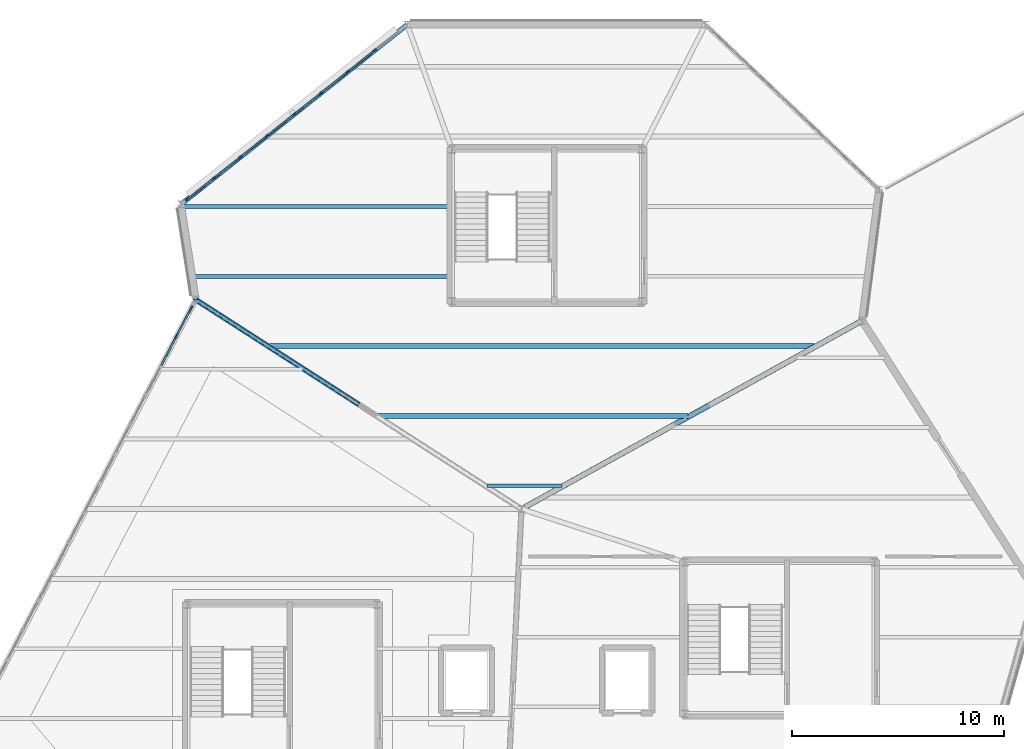
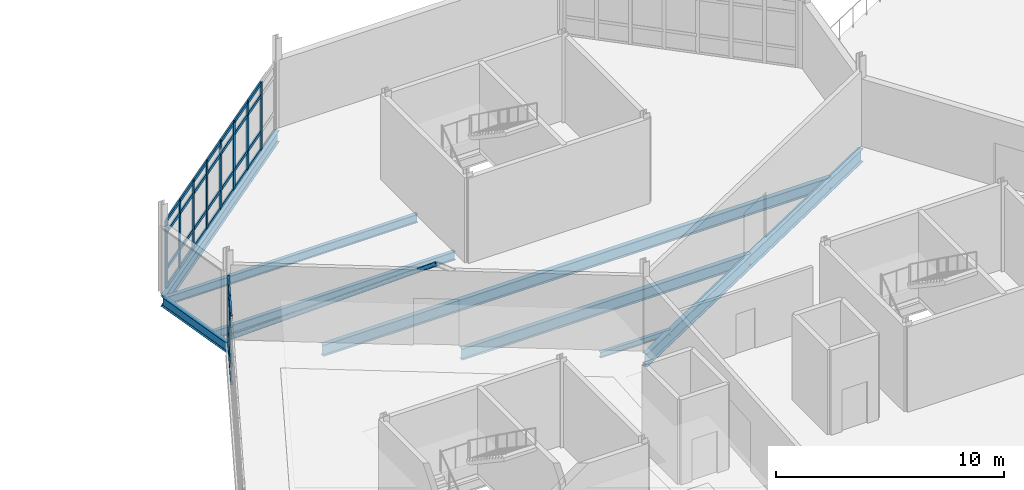
# One storey, part 38 of 76: 47 members, 8 beams, 2 elements without a shape of their own.
"""IFC4 building model written with IfcOpenShell, lengths in metres."""

from ifc_helpers import new_model, si_unit, direction, frame, origin, origin_2d, place, context, subcontext, project, spatial, rectangle, hollow_circle, i_section, extrude, material, material_profile, profile_set, type_object, element, aggregate, save


model = new_model("IFC4")

# Units and contexts
model_context = context("Model", 3, precision=1e-05, world=origin(), true_north=direction((0.0, 1.0)))
body_context = subcontext(model_context, "Body", "Model", "MODEL_VIEW")
ifc_project = project(units=[si_unit("LENGTHUNIT", "METRE"), si_unit("AREAUNIT", "SQUARE_METRE"), si_unit("VOLUMEUNIT", "CUBIC_METRE"), si_unit("PLANEANGLEUNIT", "RADIAN"), si_unit("MASSUNIT", "GRAM", prefix="KILO")], contexts=[model_context])

# Site, building, storey
site_placement = place(None, origin())
site = spatial("IfcSite", under=ifc_project, at=site_placement, CompositionType="ELEMENT")
building_placement = place(site_placement, origin())
building = spatial("IfcBuilding", under=site, at=building_placement, Name="Tameran Prism Museum", CompositionType="ELEMENT")
storey_placement = place(building_placement, frame((0.0, 0.0, 15.0)))
storey = spatial("IfcBuildingStorey", under=building, at=storey_placement, Name="L03", CompositionType="ELEMENT", Elevation=15.0)

# Beams
ifc_material_1 = material(Name="Steel Grade 300PLUS (300 MPa)", Category="steel")
ifc_material_profile_1 = material_profile(ifc_material_1, i_section(OverallWidth=0.1650390625, OverallDepth=0.303955078125, WebThickness=0.006103515625, FlangeThickness=0.01025390625, FilletRadius=0.011474609375, at=origin_2d()))
ifc_profile_set_1 = profile_set([ifc_material_profile_1])
beam_type_1 = type_object("IfcBeamType", Name="BM-J310B", PredefinedType="JOIST", material=ifc_profile_set_1)
beam_1_placement = place(storey_placement, frame((117.1630859375, 90.199951171875, -0.35205078125), z_axis=(1.0, 0.0, 0.0), x_axis=(0.0, 1.0, 0.0)))
element("IfcBeam", 1, at=beam_1_placement, inside=storey, type_object=beam_type_1, Name="Floor Beam BM-1073", PredefinedType="JOIST", context=body_context, shape_type="SweptSolid", body=[
    extrude(i_section(OverallWidth=0.1650390625, OverallDepth=0.303955078125, WebThickness=0.006103515625, FlangeThickness=0.01025390625, FilletRadius=0.011474609375, at=origin_2d()), origin(), (0.0, 0.0, 1.0), 3.5439453125),
])
ifc_material_2 = material(Name="Steel Grade 300PLUS (300 MPa)", Category="steel")
ifc_material_profile_2 = material_profile(ifc_material_2, i_section(OverallWidth=0.18994140625, OverallDepth=0.4541015625, WebThickness=0.008544921875, FlangeThickness=0.0126953125, FilletRadius=0.011474609375, at=origin_2d()))
ifc_profile_set_2 = profile_set([ifc_material_profile_2])
beam_type_2 = type_object("IfcBeamType", Name="BM-J460B", PredefinedType="JOIST", material=ifc_profile_set_2)
beam_2_placement = place(storey_placement, frame((103.26904296875, 100.10009765625, -0.427001953125), z_axis=(1.0, 0.0, 0.0), x_axis=(0.0, 1.0, 0.0)))
element("IfcBeam", 2, at=beam_2_placement, inside=storey, type_object=beam_type_2, Name="Floor Beam BM-1076", PredefinedType="JOIST", context=body_context, shape_type="SweptSolid", body=[
    extrude(i_section(OverallWidth=0.18994140625, OverallDepth=0.4541015625, WebThickness=0.008544921875, FlangeThickness=0.0126953125, FilletRadius=0.011474609375, at=origin_2d()), origin(), (0.0, 0.0, 1.0), 12.2509765625),
])
beam_3_placement = place(storey_placement, frame((102.756103515625, 103.39990234375, -0.427001953125), z_axis=(1.0, 0.0, 0.0), x_axis=(0.0, 1.0, 0.0)))
element("IfcBeam", 3, at=beam_3_placement, inside=storey, type_object=beam_type_2, Name="Floor Beam BM-1078", PredefinedType="JOIST", context=body_context, shape_type="SweptSolid", body=[
    extrude(i_section(OverallWidth=0.18994140625, OverallDepth=0.4541015625, WebThickness=0.008544921875, FlangeThickness=0.0126953125, FilletRadius=0.011474609375, at=origin_2d()), origin(), (0.0, 0.0, 1.0), 12.763916015625),
])
ifc_material_3 = material(Name="Steel Grade 300PLUS (300 MPa)", Category="steel")
ifc_material_profile_3 = material_profile(ifc_material_3, i_section(OverallWidth=0.208984375, OverallDepth=0.528076171875, WebThickness=0.009521484375, FlangeThickness=0.01318359375, FilletRadius=0.013916015625, at=origin_2d()))
ifc_profile_set_3 = profile_set([ifc_material_profile_3])
beam_type_3 = type_object("IfcBeamType", Name="BM-SP530B", PredefinedType="SPANDREL", material=ifc_profile_set_3)
beam_4_placement = place(storey_placement, frame((102.699951171875, 103.5, -0.464111328125), z_axis=(0.153696537817, -0.988118097326, 0.0), x_axis=(0.988118097326, 0.153696537817, 0.0)))
element("IfcBeam", 4, at=beam_4_placement, inside=storey, type_object=beam_type_3, Name="Perimeter Spandrel SP-0954", PredefinedType="SPANDREL", context=body_context, shape_type="SweptSolid", body=[
    extrude(i_section(OverallWidth=0.208984375, OverallDepth=0.528076171875, WebThickness=0.009521484375, FlangeThickness=0.01318359375, FilletRadius=0.013916015625, at=origin_2d()), origin(), (0.0, 0.0, 1.0), 4.55419921875),
])
ifc_material_4 = material(Name="Steel Grade 300PLUS (300 MPa)", Category="steel")
ifc_material_profile_4 = material_profile(ifc_material_4, i_section(OverallWidth=0.22802734375, OverallDepth=0.60205078125, WebThickness=0.010498046875, FlangeThickness=0.014892578125, FilletRadius=0.013916015625, at=origin_2d()))
ifc_profile_set_4 = profile_set([ifc_material_profile_4])
beam_type_4 = type_object("IfcBeamType", Name="BM-SP610", PredefinedType="SPANDREL", material=ifc_profile_set_4)
beam_5_placement = place(storey_placement, frame((113.39990234375, 112.0, -0.5009765625), z_axis=(-0.783004636427, -0.62201586743, 0.0), x_axis=(0.62201586743, -0.783004636427, 0.0)))
element("IfcBeam", 5, at=beam_5_placement, inside=storey, type_object=beam_type_4, Name="Perimeter Spandrel SP-0953", PredefinedType="SPANDREL", context=body_context, shape_type="SweptSolid", body=[
    extrude(i_section(OverallWidth=0.22802734375, OverallDepth=0.60205078125, WebThickness=0.010498046875, FlangeThickness=0.014892578125, FilletRadius=0.013916015625, at=origin_2d()), origin(), (0.0, 0.0, 1.0), 13.665283203125),
])
ifc_material_5 = material(Name="Steel Grade 350 (350 MPa)", Category="steel")
ifc_material_profile_5 = material_profile(ifc_material_5, i_section(OverallWidth=0.25, OverallDepth=0.699951171875, WebThickness=0.010009765625, FlangeThickness=0.02001953125, at=origin_2d()))
ifc_profile_set_5 = profile_set([ifc_material_profile_5])
beam_type_5 = type_object("IfcBeamType", Name="BM-SP700", PredefinedType="SPANDREL", material=ifc_profile_set_5)
beam_6_placement = place(storey_placement, frame((134.89990234375, 98.0, -0.550048828125), z_axis=(-0.875181353329, -0.483794996652, 0.0), x_axis=(0.483794996652, -0.875181353329, 0.0)))
element("IfcBeam", 6, at=beam_6_placement, inside=storey, type_object=beam_type_5, Name="Perimeter Spandrel SP-0949", PredefinedType="SPANDREL", context=body_context, shape_type="SweptSolid", body=[
    extrude(i_section(OverallWidth=0.25, OverallDepth=0.699951171875, WebThickness=0.010009765625, FlangeThickness=0.02001953125, at=origin_2d()), origin(), (0.0, 0.0, 1.0), 18.39599609375),
])
ifc_material_6 = material(Name="Steel Grade 300PLUS (300 MPa)", Category="steel")
ifc_material_profile_6 = material_profile(ifc_material_6, i_section(OverallWidth=0.22802734375, OverallDepth=0.60693359375, WebThickness=0.01123046875, FlangeThickness=0.017333984375, FilletRadius=0.013916015625, at=origin_2d()))
ifc_profile_set_6 = profile_set([ifc_material_profile_6])
beam_type_6 = type_object("IfcBeamType", Name="BM-UB610B", PredefinedType="BEAM", material=ifc_profile_set_6)
beam_7_placement = place(storey_placement, frame((112.030029296875, 93.5, -0.50341796875), z_axis=(1.0, 0.0, 0.0), x_axis=(0.0, 1.0, 0.0)))
element("IfcBeam", 7, at=beam_7_placement, inside=storey, type_object=beam_type_6, Name="Floor Beam BM-1074", PredefinedType="BEAM", context=body_context, shape_type="SweptSolid", body=[
    extrude(i_section(OverallWidth=0.22802734375, OverallDepth=0.60693359375, WebThickness=0.01123046875, FlangeThickness=0.017333984375, FilletRadius=0.013916015625, at=origin_2d()), origin(), (0.0, 0.0, 1.0), 14.64697265625),
])
beam_8_placement = place(storey_placement, frame((106.89599609375, 96.800048828125, -0.50341796875), z_axis=(1.0, 0.0, 0.0), x_axis=(0.0, 1.0, 0.0)))
element("IfcBeam", 8, at=beam_8_placement, inside=storey, type_object=beam_type_6, Name="Floor Beam BM-1075", PredefinedType="BEAM", context=body_context, shape_type="SweptSolid", body=[
    extrude(i_section(OverallWidth=0.22802734375, OverallDepth=0.60693359375, WebThickness=0.01123046875, FlangeThickness=0.017333984375, FilletRadius=0.013916015625, at=origin_2d()), origin(), (0.0, 0.0, 1.0), 25.7509765625),
])

# Curtain wall, members
ifc_material_7 = material(Name="Anodised Aluminium 6063-T6 and Cyclone Solar Glass", Category="aluminium")
curtain_wall_type_1 = type_object("IfcCurtainWallType", Name="CW-FAC-1296x362", PredefinedType="USERDEFINED", material=ifc_material_7)
curtain_wall_1_placement = place(storey_placement, origin())
curtain_wall_1 = element("IfcCurtainWall", 9, at=curtain_wall_1_placement, inside=storey, type_object=curtain_wall_type_1, Name="Unitised Curtain Wall CW-133", ObjectType="UNITISED CURTAIN WALL", PredefinedType="USERDEFINED")
ifc_material_8 = material(Name="Anodised Aluminium Alloy 6063-T6", Category="aluminium")
ifc_material_profile_7 = material_profile(ifc_material_8, rectangle(XDim=0.074951171875, YDim=0.199951171875, at=origin_2d()))
ifc_profile_set_7 = profile_set([ifc_material_profile_7])
member_type_1 = type_object("IfcMemberType", Name="CW-MUL-C", PredefinedType="MULLION", material=ifc_profile_set_7)
member_1_placement = place(storey_placement, frame((103.00341796875, 103.7412109375, 0.0), z_axis=(0.0, 0.0, 1.0), x_axis=(-0.621982306183, 0.783031296178, 0.0)))
member_1 = element("IfcMember", 10, at=member_1_placement, type_object=member_type_1, Name="CW-133 mullion 1", PredefinedType="MULLION", context=body_context, shape_type="SweptSolid", body=[
    extrude(rectangle(XDim=0.074951171875, YDim=0.199951171875, at=origin_2d()), origin(), (0.0, 0.0, 1.0), 3.6201171875),
])
member_2_placement = place(storey_placement, frame((104.242919921875, 104.72607421875, 0.0), z_axis=(0.0, 0.0, 1.0), x_axis=(-0.621982306183, 0.783031296178, 0.0)))
member_2 = element("IfcMember", 11, at=member_2_placement, type_object=member_type_1, Name="CW-133 mullion 2", PredefinedType="MULLION", context=body_context, shape_type="SweptSolid", body=[
    extrude(rectangle(XDim=0.074951171875, YDim=0.199951171875, at=origin_2d()), origin(), (0.0, 0.0, 1.0), 3.6201171875),
])
member_3_placement = place(storey_placement, frame((105.511962890625, 105.73388671875, 0.0), z_axis=(0.0, 0.0, 1.0), x_axis=(-0.621982306183, 0.783031296178, 0.0)))
member_3 = element("IfcMember", 12, at=member_3_placement, type_object=member_type_1, Name="CW-133 mullion 3", PredefinedType="MULLION", context=body_context, shape_type="SweptSolid", body=[
    extrude(rectangle(XDim=0.074951171875, YDim=0.199951171875, at=origin_2d()), origin(), (0.0, 0.0, 1.0), 3.6201171875),
])
member_4_placement = place(storey_placement, frame((106.781005859375, 106.741943359375, 0.0), z_axis=(0.0, 0.0, 1.0), x_axis=(-0.621982306183, 0.783031296178, 0.0)))
member_4 = element("IfcMember", 13, at=member_4_placement, type_object=member_type_1, Name="CW-133 mullion 4", PredefinedType="MULLION", context=body_context, shape_type="SweptSolid", body=[
    extrude(rectangle(XDim=0.074951171875, YDim=0.199951171875, at=origin_2d()), origin(), (0.0, 0.0, 1.0), 3.6201171875),
])
member_5_placement = place(storey_placement, frame((108.050048828125, 107.75, 0.0), z_axis=(0.0, 0.0, 1.0), x_axis=(-0.621982306183, 0.783031296178, 0.0)))
member_5 = element("IfcMember", 14, at=member_5_placement, type_object=member_type_1, Name="CW-133 mullion 5", PredefinedType="MULLION", context=body_context, shape_type="SweptSolid", body=[
    extrude(rectangle(XDim=0.074951171875, YDim=0.199951171875, at=origin_2d()), origin(), (0.0, 0.0, 1.0), 3.6201171875),
])
member_6_placement = place(storey_placement, frame((109.319091796875, 108.758056640625, 0.0), z_axis=(0.0, 0.0, 1.0), x_axis=(-0.621982306183, 0.783031296178, 0.0)))
member_6 = element("IfcMember", 15, at=member_6_placement, type_object=member_type_1, Name="CW-133 mullion 6", PredefinedType="MULLION", context=body_context, shape_type="SweptSolid", body=[
    extrude(rectangle(XDim=0.074951171875, YDim=0.199951171875, at=origin_2d()), origin(), (0.0, 0.0, 1.0), 3.6201171875),
])
member_7_placement = place(storey_placement, frame((110.587890625, 109.76611328125, 0.0), z_axis=(0.0, 0.0, 1.0), x_axis=(-0.621982306183, 0.783031296178, 0.0)))
member_7 = element("IfcMember", 16, at=member_7_placement, type_object=member_type_1, Name="CW-133 mullion 7", PredefinedType="MULLION", context=body_context, shape_type="SweptSolid", body=[
    extrude(rectangle(XDim=0.074951171875, YDim=0.199951171875, at=origin_2d()), origin(), (0.0, 0.0, 1.0), 3.6201171875),
])
member_8_placement = place(storey_placement, frame((111.85693359375, 110.77392578125, 0.0), z_axis=(0.0, 0.0, 1.0), x_axis=(-0.621982306183, 0.783031296178, 0.0)))
member_8 = element("IfcMember", 17, at=member_8_placement, type_object=member_type_1, Name="CW-133 mullion 8", PredefinedType="MULLION", context=body_context, shape_type="SweptSolid", body=[
    extrude(rectangle(XDim=0.074951171875, YDim=0.199951171875, at=origin_2d()), origin(), (0.0, 0.0, 1.0), 3.6201171875),
])

ifc_material_9 = material(Name="Anodised Aluminium 6063-T6 and Cyclone Solar Glass", Category="aluminium")
curtain_wall_type_2 = type_object("IfcCurtainWallType", Name="CW-FAC-2192x362", PredefinedType="USERDEFINED", material=ifc_material_9)
curtain_wall_2_placement = place(storey_placement, origin())
curtain_wall_2 = element("IfcCurtainWall", 18, at=curtain_wall_2_placement, inside=storey, type_object=curtain_wall_type_2, Name="Unitised Curtain Wall CW-130", ObjectType="UNITISED CURTAIN WALL", PredefinedType="USERDEFINED")
ifc_material_10 = material(Name="Anodised Aluminium Alloy 6063-T6", Category="aluminium")
ifc_material_profile_8 = material_profile(ifc_material_10, rectangle(XDim=0.080078125, YDim=0.219970703125, at=origin_2d()))
ifc_profile_set_8 = profile_set([ifc_material_profile_8])
member_type_2 = type_object("IfcMemberType", Name="CW-MUL-D", PredefinedType="MULLION", material=ifc_profile_set_8)
member_9_placement = place(storey_placement, frame((102.485107421875, 97.249267578125, 0.0), z_axis=(0.0, 0.0, 1.0), x_axis=(-0.886356952612, 0.463002540551, 0.0)))
member_9 = element("IfcMember", 19, at=member_9_placement, type_object=member_type_2, Name="CW-130 mullion 14", PredefinedType="MULLION", context=body_context, shape_type="SweptSolid", body=[
    extrude(rectangle(XDim=0.080078125, YDim=0.219970703125, at=origin_2d()), origin(), (0.0, 0.0, 1.0), 3.6201171875),
])
member_10_placement = place(storey_placement, frame((103.19140625, 98.6015625, 0.0), z_axis=(0.0, 0.0, 1.0), x_axis=(-0.886356952612, 0.463002540551, 0.0)))
member_10 = element("IfcMember", 20, at=member_10_placement, type_object=member_type_2, Name="CW-130 mullion 15", PredefinedType="MULLION", context=body_context, shape_type="SweptSolid", body=[
    extrude(rectangle(XDim=0.080078125, YDim=0.219970703125, at=origin_2d()), origin(), (0.0, 0.0, 1.0), 3.6201171875),
])

# Member
ifc_material_11 = material(Name="Anodised Aluminium Alloy 6063-T6", Category="aluminium")
ifc_material_profile_9 = material_profile(ifc_material_11, rectangle(XDim=0.074951171875, YDim=0.175048828125, at=origin_2d()))
ifc_profile_set_9 = profile_set([ifc_material_profile_9])
member_type_3 = type_object("IfcMemberType", Name="CW-TRN-C", PredefinedType="USERDEFINED", material=ifc_profile_set_9)
member_11_placement = place(storey_placement, frame((103.03271484375, 103.7646484375, 0.03759765625), z_axis=(0.783043597879, 0.621966818907, 0.0), x_axis=(-0.621966818907, 0.783043597879, 0.0)))
member_11 = element("IfcMember", 21, at=member_11_placement, type_object=member_type_3, Name="CW-133 transom 1.1", ObjectType="TRANSOM", PredefinedType="USERDEFINED", context=body_context, shape_type="SweptSolid", body=[
    extrude(rectangle(XDim=0.074951171875, YDim=0.175048828125, at=origin_2d()), origin(), (0.0, 0.0, 1.0), 1.508056640625),
])

member_12_placement = place(storey_placement, frame((103.03271484375, 103.7646484375, 1.0), z_axis=(0.783043597879, 0.621966818907, 0.0), x_axis=(-0.621966818907, 0.783043597879, 0.0)))
member_12 = element("IfcMember", 22, at=member_12_placement, type_object=member_type_3, Name="CW-133 transom 1.2", ObjectType="TRANSOM", PredefinedType="USERDEFINED", context=body_context, shape_type="SweptSolid", body=[
    extrude(rectangle(XDim=0.074951171875, YDim=0.175048828125, at=origin_2d()), origin(), (0.0, 0.0, 1.0), 1.508056640625),
])

member_13_placement = place(storey_placement, frame((103.03271484375, 103.7646484375, 2.93994140625), z_axis=(0.783043597879, 0.621966818907, 0.0), x_axis=(-0.621966818907, 0.783043597879, 0.0)))
member_13 = element("IfcMember", 23, at=member_13_placement, type_object=member_type_3, Name="CW-133 transom 1.3", ObjectType="TRANSOM", PredefinedType="USERDEFINED", context=body_context, shape_type="SweptSolid", body=[
    extrude(rectangle(XDim=0.074951171875, YDim=0.175048828125, at=origin_2d()), origin(), (0.0, 0.0, 1.0), 1.508056640625),
])

member_14_placement = place(storey_placement, frame((103.03271484375, 103.7646484375, 3.58251953125), z_axis=(0.783043597879, 0.621966818907, 0.0), x_axis=(-0.621966818907, 0.783043597879, 0.0)))
member_14 = element("IfcMember", 24, at=member_14_placement, type_object=member_type_3, Name="CW-133 transom 1.4", ObjectType="TRANSOM", PredefinedType="USERDEFINED", context=body_context, shape_type="SweptSolid", body=[
    extrude(rectangle(XDim=0.074951171875, YDim=0.175048828125, at=origin_2d()), origin(), (0.0, 0.0, 1.0), 1.508056640625),
])

member_15_placement = place(storey_placement, frame((104.2724609375, 104.749267578125, 0.03759765625), z_axis=(0.78299091999, 0.622033133533, 0.0), x_axis=(-0.622033133533, 0.78299091999, 0.0)))
member_15 = element("IfcMember", 25, at=member_15_placement, type_object=member_type_3, Name="CW-133 transom 2.1", ObjectType="TRANSOM", PredefinedType="USERDEFINED", context=body_context, shape_type="SweptSolid", body=[
    extrude(rectangle(XDim=0.074951171875, YDim=0.175048828125, at=origin_2d()), origin(), (0.0, 0.0, 1.0), 1.545654296875),
])

member_16_placement = place(storey_placement, frame((104.2724609375, 104.749267578125, 1.0), z_axis=(0.78299091999, 0.622033133533, 0.0), x_axis=(-0.622033133533, 0.78299091999, 0.0)))
member_16 = element("IfcMember", 26, at=member_16_placement, type_object=member_type_3, Name="CW-133 transom 2.2", ObjectType="TRANSOM", PredefinedType="USERDEFINED", context=body_context, shape_type="SweptSolid", body=[
    extrude(rectangle(XDim=0.074951171875, YDim=0.175048828125, at=origin_2d()), origin(), (0.0, 0.0, 1.0), 1.545654296875),
])

member_17_placement = place(storey_placement, frame((104.2724609375, 104.749267578125, 2.93994140625), z_axis=(0.78299091999, 0.622033133533, 0.0), x_axis=(-0.622033133533, 0.78299091999, 0.0)))
member_17 = element("IfcMember", 27, at=member_17_placement, type_object=member_type_3, Name="CW-133 transom 2.3", ObjectType="TRANSOM", PredefinedType="USERDEFINED", context=body_context, shape_type="SweptSolid", body=[
    extrude(rectangle(XDim=0.074951171875, YDim=0.175048828125, at=origin_2d()), origin(), (0.0, 0.0, 1.0), 1.545654296875),
])

member_18_placement = place(storey_placement, frame((104.2724609375, 104.749267578125, 3.58251953125), z_axis=(0.78299091999, 0.622033133533, 0.0), x_axis=(-0.622033133533, 0.78299091999, 0.0)))
member_18 = element("IfcMember", 28, at=member_18_placement, type_object=member_type_3, Name="CW-133 transom 2.4", ObjectType="TRANSOM", PredefinedType="USERDEFINED", context=body_context, shape_type="SweptSolid", body=[
    extrude(rectangle(XDim=0.074951171875, YDim=0.175048828125, at=origin_2d()), origin(), (0.0, 0.0, 1.0), 1.545654296875),
])

member_19_placement = place(storey_placement, frame((105.541259765625, 105.75732421875, 0.03759765625), z_axis=(0.78305202605, 0.621956207863, 0.0), x_axis=(-0.621956207863, 0.78305202605, 0.0)))
member_19 = element("IfcMember", 29, at=member_19_placement, type_object=member_type_3, Name="CW-133 transom 3.1", ObjectType="TRANSOM", PredefinedType="USERDEFINED", context=body_context, shape_type="SweptSolid", body=[
    extrude(rectangle(XDim=0.074951171875, YDim=0.175048828125, at=origin_2d()), origin(), (0.0, 0.0, 1.0), 1.5458984375),
])

member_20_placement = place(storey_placement, frame((105.541259765625, 105.75732421875, 1.0), z_axis=(0.78305202605, 0.621956207863, 0.0), x_axis=(-0.621956207863, 0.78305202605, 0.0)))
member_20 = element("IfcMember", 30, at=member_20_placement, type_object=member_type_3, Name="CW-133 transom 3.2", ObjectType="TRANSOM", PredefinedType="USERDEFINED", context=body_context, shape_type="SweptSolid", body=[
    extrude(rectangle(XDim=0.074951171875, YDim=0.175048828125, at=origin_2d()), origin(), (0.0, 0.0, 1.0), 1.5458984375),
])

member_21_placement = place(storey_placement, frame((105.541259765625, 105.75732421875, 2.93994140625), z_axis=(0.78305202605, 0.621956207863, 0.0), x_axis=(-0.621956207863, 0.78305202605, 0.0)))
member_21 = element("IfcMember", 31, at=member_21_placement, type_object=member_type_3, Name="CW-133 transom 3.3", ObjectType="TRANSOM", PredefinedType="USERDEFINED", context=body_context, shape_type="SweptSolid", body=[
    extrude(rectangle(XDim=0.074951171875, YDim=0.175048828125, at=origin_2d()), origin(), (0.0, 0.0, 1.0), 1.5458984375),
])

member_22_placement = place(storey_placement, frame((105.541259765625, 105.75732421875, 3.58251953125), z_axis=(0.78305202605, 0.621956207863, 0.0), x_axis=(-0.621956207863, 0.78305202605, 0.0)))
member_22 = element("IfcMember", 32, at=member_22_placement, type_object=member_type_3, Name="CW-133 transom 3.4", ObjectType="TRANSOM", PredefinedType="USERDEFINED", context=body_context, shape_type="SweptSolid", body=[
    extrude(rectangle(XDim=0.074951171875, YDim=0.175048828125, at=origin_2d()), origin(), (0.0, 0.0, 1.0), 1.5458984375),
])

member_23_placement = place(storey_placement, frame((106.810302734375, 106.765380859375, 0.03759765625), z_axis=(0.783128946774, 0.62185935124, 0.0), x_axis=(-0.62185935124, 0.783128946774, 0.0)))
member_23 = element("IfcMember", 33, at=member_23_placement, type_object=member_type_3, Name="CW-133 transom 4.1", ObjectType="TRANSOM", PredefinedType="USERDEFINED", context=body_context, shape_type="SweptSolid", body=[
    extrude(rectangle(XDim=0.074951171875, YDim=0.175048828125, at=origin_2d()), origin(), (0.0, 0.0, 1.0), 1.545654296875),
])

member_24_placement = place(storey_placement, frame((106.810302734375, 106.765380859375, 1.0), z_axis=(0.783128946774, 0.62185935124, 0.0), x_axis=(-0.62185935124, 0.783128946774, 0.0)))
member_24 = element("IfcMember", 34, at=member_24_placement, type_object=member_type_3, Name="CW-133 transom 4.2", ObjectType="TRANSOM", PredefinedType="USERDEFINED", context=body_context, shape_type="SweptSolid", body=[
    extrude(rectangle(XDim=0.074951171875, YDim=0.175048828125, at=origin_2d()), origin(), (0.0, 0.0, 1.0), 1.545654296875),
])

member_25_placement = place(storey_placement, frame((106.810302734375, 106.765380859375, 2.93994140625), z_axis=(0.783128946774, 0.62185935124, 0.0), x_axis=(-0.62185935124, 0.783128946774, 0.0)))
member_25 = element("IfcMember", 35, at=member_25_placement, type_object=member_type_3, Name="CW-133 transom 4.3", ObjectType="TRANSOM", PredefinedType="USERDEFINED", context=body_context, shape_type="SweptSolid", body=[
    extrude(rectangle(XDim=0.074951171875, YDim=0.175048828125, at=origin_2d()), origin(), (0.0, 0.0, 1.0), 1.545654296875),
])

member_26_placement = place(storey_placement, frame((106.810302734375, 106.765380859375, 3.58251953125), z_axis=(0.783128946774, 0.62185935124, 0.0), x_axis=(-0.62185935124, 0.783128946774, 0.0)))
member_26 = element("IfcMember", 36, at=member_26_placement, type_object=member_type_3, Name="CW-133 transom 4.4", ObjectType="TRANSOM", PredefinedType="USERDEFINED", context=body_context, shape_type="SweptSolid", body=[
    extrude(rectangle(XDim=0.074951171875, YDim=0.175048828125, at=origin_2d()), origin(), (0.0, 0.0, 1.0), 1.545654296875),
])

member_27_placement = place(storey_placement, frame((108.079345703125, 107.7734375, 0.03759765625), z_axis=(0.783067853742, 0.621936280045, 0.0), x_axis=(-0.621936280045, 0.783067853742, 0.0)))
member_27 = element("IfcMember", 37, at=member_27_placement, type_object=member_type_3, Name="CW-133 transom 5.1", ObjectType="TRANSOM", PredefinedType="USERDEFINED", context=body_context, shape_type="SweptSolid", body=[
    extrude(rectangle(XDim=0.074951171875, YDim=0.175048828125, at=origin_2d()), origin(), (0.0, 0.0, 1.0), 1.54541015625),
])

member_28_placement = place(storey_placement, frame((108.079345703125, 107.7734375, 1.0), z_axis=(0.783067853742, 0.621936280045, 0.0), x_axis=(-0.621936280045, 0.783067853742, 0.0)))
member_28 = element("IfcMember", 38, at=member_28_placement, type_object=member_type_3, Name="CW-133 transom 5.2", ObjectType="TRANSOM", PredefinedType="USERDEFINED", context=body_context, shape_type="SweptSolid", body=[
    extrude(rectangle(XDim=0.074951171875, YDim=0.175048828125, at=origin_2d()), origin(), (0.0, 0.0, 1.0), 1.54541015625),
])

member_29_placement = place(storey_placement, frame((108.079345703125, 107.7734375, 2.93994140625), z_axis=(0.783067853742, 0.621936280045, 0.0), x_axis=(-0.621936280045, 0.783067853742, 0.0)))
member_29 = element("IfcMember", 39, at=member_29_placement, type_object=member_type_3, Name="CW-133 transom 5.3", ObjectType="TRANSOM", PredefinedType="USERDEFINED", context=body_context, shape_type="SweptSolid", body=[
    extrude(rectangle(XDim=0.074951171875, YDim=0.175048828125, at=origin_2d()), origin(), (0.0, 0.0, 1.0), 1.54541015625),
])

member_30_placement = place(storey_placement, frame((108.079345703125, 107.7734375, 3.58251953125), z_axis=(0.783067853742, 0.621936280045, 0.0), x_axis=(-0.621936280045, 0.783067853742, 0.0)))
member_30 = element("IfcMember", 40, at=member_30_placement, type_object=member_type_3, Name="CW-133 transom 5.4", ObjectType="TRANSOM", PredefinedType="USERDEFINED", context=body_context, shape_type="SweptSolid", body=[
    extrude(rectangle(XDim=0.074951171875, YDim=0.175048828125, at=origin_2d()), origin(), (0.0, 0.0, 1.0), 1.54541015625),
])

member_31_placement = place(storey_placement, frame((109.348388671875, 108.78125, 0.03759765625), z_axis=(0.78299091999, 0.622033133533, 0.0), x_axis=(-0.622033133533, 0.78299091999, 0.0)))
member_31 = element("IfcMember", 41, at=member_31_placement, type_object=member_type_3, Name="CW-133 transom 6.1", ObjectType="TRANSOM", PredefinedType="USERDEFINED", context=body_context, shape_type="SweptSolid", body=[
    extrude(rectangle(XDim=0.074951171875, YDim=0.175048828125, at=origin_2d()), origin(), (0.0, 0.0, 1.0), 1.545654296875),
])

member_32_placement = place(storey_placement, frame((109.348388671875, 108.78125, 1.0), z_axis=(0.78299091999, 0.622033133533, 0.0), x_axis=(-0.622033133533, 0.78299091999, 0.0)))
member_32 = element("IfcMember", 42, at=member_32_placement, type_object=member_type_3, Name="CW-133 transom 6.2", ObjectType="TRANSOM", PredefinedType="USERDEFINED", context=body_context, shape_type="SweptSolid", body=[
    extrude(rectangle(XDim=0.074951171875, YDim=0.175048828125, at=origin_2d()), origin(), (0.0, 0.0, 1.0), 1.545654296875),
])

member_33_placement = place(storey_placement, frame((109.348388671875, 108.78125, 2.93994140625), z_axis=(0.78299091999, 0.622033133533, 0.0), x_axis=(-0.622033133533, 0.78299091999, 0.0)))
member_33 = element("IfcMember", 43, at=member_33_placement, type_object=member_type_3, Name="CW-133 transom 6.3", ObjectType="TRANSOM", PredefinedType="USERDEFINED", context=body_context, shape_type="SweptSolid", body=[
    extrude(rectangle(XDim=0.074951171875, YDim=0.175048828125, at=origin_2d()), origin(), (0.0, 0.0, 1.0), 1.545654296875),
])

member_34_placement = place(storey_placement, frame((109.348388671875, 108.78125, 3.58251953125), z_axis=(0.78299091999, 0.622033133533, 0.0), x_axis=(-0.622033133533, 0.78299091999, 0.0)))
member_34 = element("IfcMember", 44, at=member_34_placement, type_object=member_type_3, Name="CW-133 transom 6.4", ObjectType="TRANSOM", PredefinedType="USERDEFINED", context=body_context, shape_type="SweptSolid", body=[
    extrude(rectangle(XDim=0.074951171875, YDim=0.175048828125, at=origin_2d()), origin(), (0.0, 0.0, 1.0), 1.545654296875),
])

member_35_placement = place(storey_placement, frame((110.617431640625, 109.789306640625, 0.03759765625), z_axis=(0.78299091999, 0.622033133533, 0.0), x_axis=(-0.622033133533, 0.78299091999, 0.0)))
member_35 = element("IfcMember", 45, at=member_35_placement, type_object=member_type_3, Name="CW-133 transom 7.1", ObjectType="TRANSOM", PredefinedType="USERDEFINED", context=body_context, shape_type="SweptSolid", body=[
    extrude(rectangle(XDim=0.074951171875, YDim=0.175048828125, at=origin_2d()), origin(), (0.0, 0.0, 1.0), 1.545654296875),
])

member_36_placement = place(storey_placement, frame((110.617431640625, 109.789306640625, 1.0), z_axis=(0.78299091999, 0.622033133533, 0.0), x_axis=(-0.622033133533, 0.78299091999, 0.0)))
member_36 = element("IfcMember", 46, at=member_36_placement, type_object=member_type_3, Name="CW-133 transom 7.2", ObjectType="TRANSOM", PredefinedType="USERDEFINED", context=body_context, shape_type="SweptSolid", body=[
    extrude(rectangle(XDim=0.074951171875, YDim=0.175048828125, at=origin_2d()), origin(), (0.0, 0.0, 1.0), 1.545654296875),
])

member_37_placement = place(storey_placement, frame((110.617431640625, 109.789306640625, 2.93994140625), z_axis=(0.78299091999, 0.622033133533, 0.0), x_axis=(-0.622033133533, 0.78299091999, 0.0)))
member_37 = element("IfcMember", 47, at=member_37_placement, type_object=member_type_3, Name="CW-133 transom 7.3", ObjectType="TRANSOM", PredefinedType="USERDEFINED", context=body_context, shape_type="SweptSolid", body=[
    extrude(rectangle(XDim=0.074951171875, YDim=0.175048828125, at=origin_2d()), origin(), (0.0, 0.0, 1.0), 1.545654296875),
])

member_38_placement = place(storey_placement, frame((110.617431640625, 109.789306640625, 3.58251953125), z_axis=(0.78299091999, 0.622033133533, 0.0), x_axis=(-0.622033133533, 0.78299091999, 0.0)))
member_38 = element("IfcMember", 48, at=member_38_placement, type_object=member_type_3, Name="CW-133 transom 7.4", ObjectType="TRANSOM", PredefinedType="USERDEFINED", context=body_context, shape_type="SweptSolid", body=[
    extrude(rectangle(XDim=0.074951171875, YDim=0.175048828125, at=origin_2d()), origin(), (0.0, 0.0, 1.0), 1.545654296875),
])

aggregate(curtain_wall_1, [member_1, member_2, member_3, member_4, member_5, member_6, member_7, member_8, member_11, member_12, member_13, member_14, member_15, member_16, member_17, member_18, member_19, member_20, member_21, member_22, member_23, member_24, member_25, member_26, member_27, member_28, member_29, member_30, member_31, member_32, member_33, member_34, member_35, member_36, member_37, member_38])

ifc_material_12 = material(Name="Anodised Aluminium Alloy 6063-T6", Category="aluminium")
ifc_material_profile_10 = material_profile(ifc_material_12, rectangle(XDim=0.080078125, YDim=0.195068359375, at=origin_2d()))
ifc_profile_set_10 = profile_set([ifc_material_profile_10])
member_type_4 = type_object("IfcMemberType", Name="CW-TRN-D", PredefinedType="USERDEFINED", material=ifc_profile_set_10)
member_39_placement = place(storey_placement, frame((101.77880859375, 95.897216796875, 0.0400390625), z_axis=(0.462987220267, 0.886364955236, 0.0), x_axis=(-0.886364955236, 0.462987220267, 0.0)))
member_39 = element("IfcMember", 49, at=member_39_placement, type_object=member_type_4, Name="CW-130 transom 13.1", ObjectType="TRANSOM", PredefinedType="USERDEFINED", context=body_context, shape_type="SweptSolid", body=[
    extrude(rectangle(XDim=0.080078125, YDim=0.195068359375, at=origin_2d()), origin(), (0.0, 0.0, 1.0), 1.4853515625),
])

member_40_placement = place(storey_placement, frame((101.77880859375, 95.897216796875, 1.0), z_axis=(0.462987220267, 0.886364955236, 0.0), x_axis=(-0.886364955236, 0.462987220267, 0.0)))
member_40 = element("IfcMember", 50, at=member_40_placement, type_object=member_type_4, Name="CW-130 transom 13.2", ObjectType="TRANSOM", PredefinedType="USERDEFINED", context=body_context, shape_type="SweptSolid", body=[
    extrude(rectangle(XDim=0.080078125, YDim=0.195068359375, at=origin_2d()), origin(), (0.0, 0.0, 1.0), 1.4853515625),
])

member_41_placement = place(storey_placement, frame((101.77880859375, 95.897216796875, 2.93994140625), z_axis=(0.462987220267, 0.886364955236, 0.0), x_axis=(-0.886364955236, 0.462987220267, 0.0)))
member_41 = element("IfcMember", 51, at=member_41_placement, type_object=member_type_4, Name="CW-130 transom 13.3", ObjectType="TRANSOM", PredefinedType="USERDEFINED", context=body_context, shape_type="SweptSolid", body=[
    extrude(rectangle(XDim=0.080078125, YDim=0.195068359375, at=origin_2d()), origin(), (0.0, 0.0, 1.0), 1.4853515625),
])

member_42_placement = place(storey_placement, frame((101.77880859375, 95.897216796875, 3.580078125), z_axis=(0.462987220267, 0.886364955236, 0.0), x_axis=(-0.886364955236, 0.462987220267, 0.0)))
member_42 = element("IfcMember", 52, at=member_42_placement, type_object=member_type_4, Name="CW-130 transom 13.4", ObjectType="TRANSOM", PredefinedType="USERDEFINED", context=body_context, shape_type="SweptSolid", body=[
    extrude(rectangle(XDim=0.080078125, YDim=0.195068359375, at=origin_2d()), origin(), (0.0, 0.0, 1.0), 1.4853515625),
])

member_43_placement = place(storey_placement, frame((102.503662109375, 97.284912109375, 0.0400390625), z_axis=(0.462952699184, 0.886382986253, 0.0), x_axis=(-0.886382986253, 0.462952699184, 0.0)))
member_43 = element("IfcMember", 53, at=member_43_placement, type_object=member_type_4, Name="CW-130 transom 14.1", ObjectType="TRANSOM", PredefinedType="USERDEFINED", context=body_context, shape_type="SweptSolid", body=[
    extrude(rectangle(XDim=0.080078125, YDim=0.195068359375, at=origin_2d()), origin(), (0.0, 0.0, 1.0), 1.445556640625),
])

member_44_placement = place(storey_placement, frame((102.503662109375, 97.284912109375, 1.0), z_axis=(0.462952699184, 0.886382986253, 0.0), x_axis=(-0.886382986253, 0.462952699184, 0.0)))
member_44 = element("IfcMember", 54, at=member_44_placement, type_object=member_type_4, Name="CW-130 transom 14.2", ObjectType="TRANSOM", PredefinedType="USERDEFINED", context=body_context, shape_type="SweptSolid", body=[
    extrude(rectangle(XDim=0.080078125, YDim=0.195068359375, at=origin_2d()), origin(), (0.0, 0.0, 1.0), 1.445556640625),
])

member_45_placement = place(storey_placement, frame((102.503662109375, 97.284912109375, 2.93994140625), z_axis=(0.462952699184, 0.886382986253, 0.0), x_axis=(-0.886382986253, 0.462952699184, 0.0)))
member_45 = element("IfcMember", 55, at=member_45_placement, type_object=member_type_4, Name="CW-130 transom 14.3", ObjectType="TRANSOM", PredefinedType="USERDEFINED", context=body_context, shape_type="SweptSolid", body=[
    extrude(rectangle(XDim=0.080078125, YDim=0.195068359375, at=origin_2d()), origin(), (0.0, 0.0, 1.0), 1.445556640625),
])

member_46_placement = place(storey_placement, frame((102.503662109375, 97.284912109375, 3.580078125), z_axis=(0.462952699184, 0.886382986253, 0.0), x_axis=(-0.886382986253, 0.462952699184, 0.0)))
member_46 = element("IfcMember", 56, at=member_46_placement, type_object=member_type_4, Name="CW-130 transom 14.4", ObjectType="TRANSOM", PredefinedType="USERDEFINED", context=body_context, shape_type="SweptSolid", body=[
    extrude(rectangle(XDim=0.080078125, YDim=0.195068359375, at=origin_2d()), origin(), (0.0, 0.0, 1.0), 1.445556640625),
])

aggregate(curtain_wall_2, [member_9, member_10, member_39, member_40, member_41, member_42, member_43, member_44, member_45, member_46])

ifc_material_13 = material(Name="Steel Grade C350L0 (350 MPa)", Category="steel")
ifc_material_profile_11 = material_profile(ifc_material_13, hollow_circle(Radius=0.109619140625, WallThickness=0.00830078125, at=origin_2d()))
ifc_profile_set_11 = profile_set([ifc_material_profile_11])
member_type_5 = type_object("IfcMemberType", Name="MM-BR-CHS219", PredefinedType="BRACE", material=ifc_profile_set_11)
member_47_placement = place(storey_placement, frame((103.39990234375, 99.0, 0.0), z_axis=(0.761368356308, -0.489433843505, 0.425173774878), x_axis=(0.540744111576, 0.84118714077, 0.0)))
element("IfcMember", 57, at=member_47_placement, inside=storey, type_object=member_type_5, Name="Lateral Chevron Brace CBF-020", PredefinedType="BRACE", context=body_context, shape_type="SweptSolid", body=[
    extrude(hollow_circle(Radius=0.109619140625, WallThickness=0.00830078125, at=origin_2d()), origin(), (0.0, 0.0, 1.0), 10.113525390625),
])

save(model, "model.ifc")
